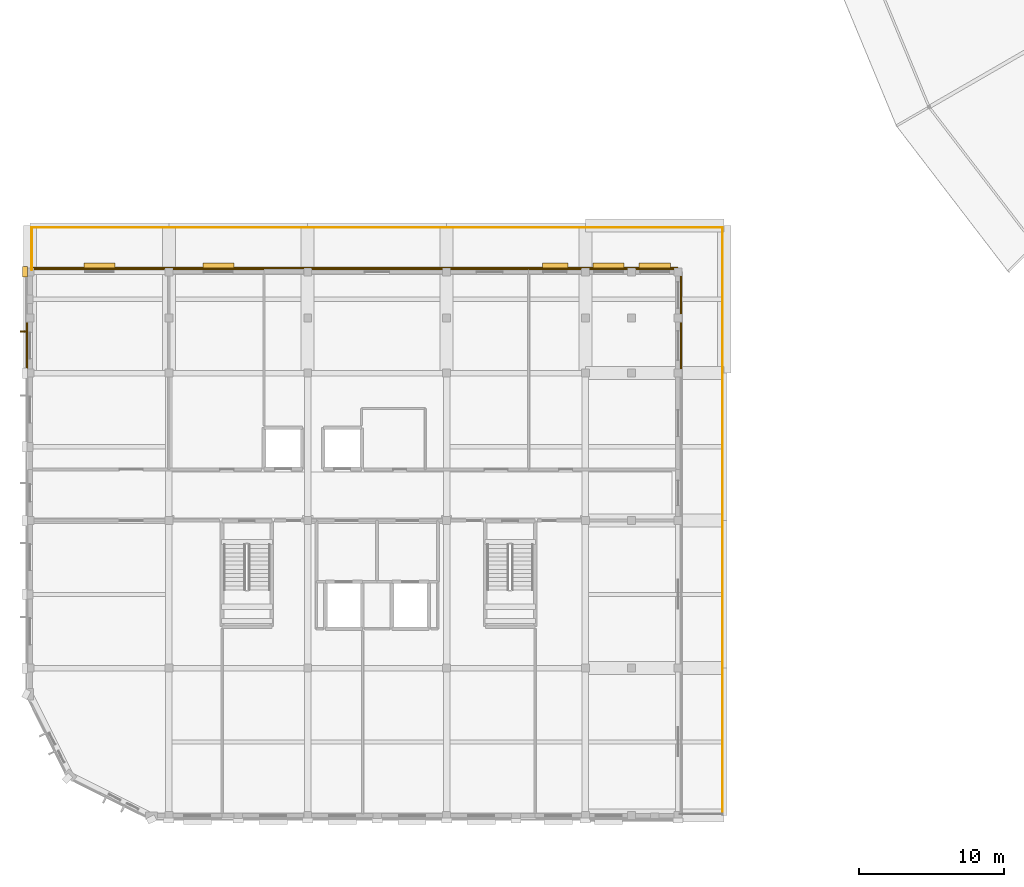
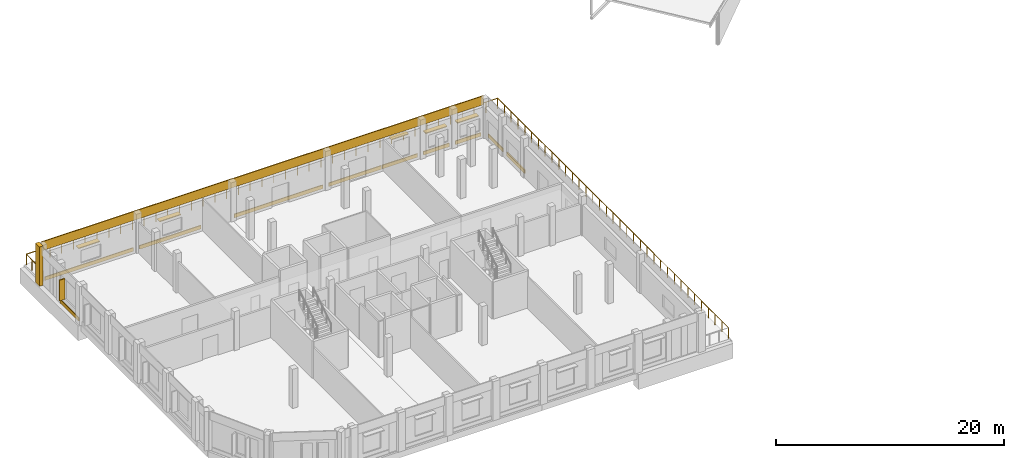
# One storey, part 69 of 70: 12 coverings, 6 shading devices, 3 railings.
"""IFC4 building model written with IfcOpenShell, lengths in metres."""

from ifc_helpers import new_model, si_unit, direction, frame, origin, origin_2d, place, context, subcontext, project, spatial, rectangle, circle, extrude, material, layer, layer_set, type_object, element, save


model = new_model("IFC4")

# Units and contexts
model_context = context("Model", 3, precision=1e-05, world=origin(), true_north=direction((0.0, 1.0)))
body_context = subcontext(model_context, "Body", "Model", "MODEL_VIEW")
ifc_project = project(units=[si_unit("LENGTHUNIT", "METRE"), si_unit("AREAUNIT", "SQUARE_METRE"), si_unit("VOLUMEUNIT", "CUBIC_METRE"), si_unit("PLANEANGLEUNIT", "RADIAN"), si_unit("MASSUNIT", "GRAM", prefix="KILO")], contexts=[model_context])

# Site, building, storey
site_placement = place(None, origin())
site = spatial("IfcSite", under=ifc_project, at=site_placement, CompositionType="ELEMENT")
building_placement = place(site_placement, origin())
building = spatial("IfcBuilding", under=site, at=building_placement, Name="Vondelvale Polytechnic", CompositionType="ELEMENT")
storey_placement = place(building_placement, frame((0.0, 0.0, 22.199951171875)))
storey = spatial("IfcBuildingStorey", under=building, at=storey_placement, Name="L05", CompositionType="ELEMENT", Elevation=22.199951171875)

# Coverings
ifc_material_1 = material(Name="Amsterdam School iron-spot clinker clay brickwork", Category="masonry")
ifc_layer_1 = layer(ifc_material_1, 0.090087890625)
ifc_layer_set_1 = layer_set([ifc_layer_1], Name="COV-BRICK-RELIEF")
covering_type = type_object("IfcCoveringType", Name="COV-BRICK-RELIEF", PredefinedType="CLADDING", material=ifc_layer_set_1)
covering_1_placement = place(storey_placement, frame((22.39990234375, 37.864990234375, 3.239990234375), z_axis=(0.0, 0.0, 1.0), x_axis=(1.0, 0.0, 0.0)))
element("IfcCovering", 1, at=covering_1_placement, inside=storey, type_object=covering_type, Name="L05 exterior masonry spandrel band", PredefinedType="CLADDING", context=body_context, shape_type="SweptSolid", body=[
    extrude(rectangle(XDim=44.800048828125, YDim=0.090087890625, at=origin_2d()), origin(), (0.0, 0.0, 1.0), 0.9599609375),
])
covering_2_placement = place(storey_placement, frame((-0.200927734375, 32.5, 0.0), z_axis=(0.0, 0.0, 1.0), x_axis=(0.0, 1.0, 0.0)))
element("IfcCovering", 2, at=covering_2_placement, inside=storey, type_object=covering_type, Name="L05 exterior corbelled masonry relief band", PredefinedType="CLADDING", context=body_context, shape_type="SweptSolid", body=[
    extrude(rectangle(XDim=3.18798828125, YDim=0.090087890625, at=origin_2d()), origin(), (0.0, 0.0, 1.0), 0.3798828125),
])
covering_3_placement = place(storey_placement, frame((45.0009765625, 36.0, 0.0), z_axis=(0.0, 0.0, 1.0), x_axis=(0.0, -1.0, 0.0)))
element("IfcCovering", 3, at=covering_3_placement, inside=storey, type_object=covering_type, Name="L05 exterior corbelled masonry relief band", PredefinedType="CLADDING", context=body_context, shape_type="SweptSolid", body=[
    extrude(rectangle(XDim=2.587890625, YDim=0.090087890625, at=origin_2d()), origin(), (0.0, 0.0, 1.0), 0.3798828125),
])
covering_4_placement = place(storey_placement, frame((45.0009765625, 32.5, 0.0), z_axis=(0.0, 0.0, 1.0), x_axis=(0.0, -1.0, 0.0)))
element("IfcCovering", 4, at=covering_4_placement, inside=storey, type_object=covering_type, Name="L05 exterior corbelled masonry relief band", PredefinedType="CLADDING", context=body_context, shape_type="SweptSolid", body=[
    extrude(rectangle(XDim=3.18798828125, YDim=0.090087890625, at=origin_2d()), origin(), (0.0, 0.0, 1.0), 0.3798828125),
])
covering_5_placement = place(storey_placement, frame((4.800048828125, 37.801025390625, 0.0), z_axis=(0.0, 0.0, 1.0), x_axis=(1.0, 0.0, 0.0)))
element("IfcCovering", 5, at=covering_5_placement, inside=storey, type_object=covering_type, Name="L05 exterior corbelled masonry relief band", PredefinedType="CLADDING", context=body_context, shape_type="SweptSolid", body=[
    extrude(rectangle(XDim=8.988037109375, YDim=0.090087890625, at=origin_2d()), origin(), (0.0, 0.0, 1.0), 0.3798828125),
])
covering_6_placement = place(storey_placement, frame((13.025390625, 37.801025390625, 0.0), z_axis=(0.0, 0.0, 1.0), x_axis=(1.0, 0.0, 0.0)))
element("IfcCovering", 6, at=covering_6_placement, inside=storey, type_object=covering_type, Name="L05 exterior corbelled masonry relief band", PredefinedType="CLADDING", context=body_context, shape_type="SweptSolid", body=[
    extrude(rectangle(XDim=6.239013671875, YDim=0.090087890625, at=origin_2d()), origin(), (0.0, 0.0, 1.0), 0.3798828125),
])
covering_7_placement = place(storey_placement, frame((24.0, 37.801025390625, 0.0), z_axis=(0.0, 0.0, 1.0), x_axis=(1.0, 0.0, 0.0)))
element("IfcCovering", 7, at=covering_7_placement, inside=storey, type_object=covering_type, Name="L05 exterior corbelled masonry relief band", PredefinedType="CLADDING", context=body_context, shape_type="SweptSolid", body=[
    extrude(rectangle(XDim=8.988037109375, YDim=0.090087890625, at=origin_2d()), origin(), (0.0, 0.0, 1.0), 0.3798828125),
])
covering_8_placement = place(storey_placement, frame((31.775390625, 37.801025390625, 0.0), z_axis=(0.0, 0.0, 1.0), x_axis=(1.0, 0.0, 0.0)))
element("IfcCovering", 8, at=covering_8_placement, inside=storey, type_object=covering_type, Name="L05 exterior corbelled masonry relief band", PredefinedType="CLADDING", context=body_context, shape_type="SweptSolid", body=[
    extrude(rectangle(XDim=5.339111328125, YDim=0.090087890625, at=origin_2d()), origin(), (0.0, 0.0, 1.0), 0.3798828125),
])
covering_9_placement = place(storey_placement, frame((36.299560546875, 37.801025390625, 0.0), z_axis=(0.0, 0.0, 1.0), x_axis=(1.0, 0.0, 0.0)))
element("IfcCovering", 9, at=covering_9_placement, inside=storey, type_object=covering_type, Name="L05 exterior corbelled masonry relief band", PredefinedType="CLADDING", context=body_context, shape_type="SweptSolid", body=[
    extrude(rectangle(XDim=3.589111328125, YDim=0.090087890625, at=origin_2d()), origin(), (0.0, 0.0, 1.0), 0.3798828125),
])
for number, where, z_axis, x_axis, name in (
    (10, (40.0, 37.801025390625, 0.0), (0.0, 0.0, 1.0), (1.0, 0.0, 0.0), "L05 exterior corbelled masonry relief band"),
    (11, (43.199951171875, 37.801025390625, 0.0), (0.0, 0.0, 1.0), (1.0, 0.0, 0.0), "L05 exterior corbelled masonry relief band"),
):
    element("IfcCovering", number, at=place(storey_placement, frame(where, z_axis=z_axis, x_axis=x_axis)), inside=storey, type_object=covering_type, Name=name, PredefinedType="CLADDING", context=body_context, shape_type="SweptSolid", body=[
        extrude(rectangle(XDim=2.587890625, YDim=0.090087890625, at=origin_2d()), origin(), (0.0, 0.0, 1.0), 0.3798828125),
    ])
covering_10_placement = place(storey_placement, frame((-0.340087890625, 37.60009765625, 0.0), z_axis=(0.0, 0.0, 1.0), x_axis=(1.0, 0.0, 0.0)))
element("IfcCovering", 12, at=covering_10_placement, inside=storey, type_object=covering_type, Name="L05 Classical street pilaster", PredefinedType="CLADDING", context=body_context, shape_type="SweptSolid", body=[
    extrude(rectangle(XDim=0.360107421875, YDim=0.719970703125, at=origin_2d()), origin(), (0.0, 0.0, 1.0), 4.199951171875),
])

# Railings
ifc_material_2 = material(Name="Brushed architectural stainless and zinc-coated metal")
ifc_layer_2 = layer(ifc_material_2, 0.070068359375)
ifc_layer_set_2 = layer_set([ifc_layer_2], Name="RL-TERRACE-1150")
railing_type = type_object("IfcRailingType", Name="RL-TERRACE-1150", PredefinedType="BALUSTRADE", material=ifc_layer_set_2)
railing_1_placement = place(storey_placement, frame((47.8798828125, 0.1201171875, 0.0)))
element("IfcRailing", 13, at=railing_1_placement, inside=storey, type_object=railing_type, Name="L05 courtyard terrace guardrail", PredefinedType="BALUSTRADE", context=body_context, shape_type="SweptSolid", body=[
    extrude(circle(Radius=0.02392578125, at=origin_2d()), frame((0.0, 0.0, 1.1259765625), z_axis=(0.0, 1.0, 0.0), x_axis=(-1.0, 0.0, 0.0)), (0.0, 0.0, 1.0), 40.559814453125),
    extrude(circle(Radius=0.02099609375, at=origin_2d()), origin(), (0.0, 0.0, 1.0), 1.101806640625),
    extrude(circle(Radius=0.02099609375, at=origin_2d()), frame((0.0, 1.19287109375, 0.0)), (0.0, 0.0, 1.0), 1.101806640625),
    extrude(circle(Radius=0.02099609375, at=origin_2d()), frame((0.0, 2.385986328125, 0.0)), (0.0, 0.0, 1.0), 1.101806640625),
    extrude(circle(Radius=0.02099609375, at=origin_2d()), frame((0.0, 3.578857421875, 0.0)), (0.0, 0.0, 1.0), 1.101806640625),
    extrude(circle(Radius=0.02099609375, at=origin_2d()), frame((0.0, 4.771728515625, 0.0)), (0.0, 0.0, 1.0), 1.101806640625),
    extrude(circle(Radius=0.02099609375, at=origin_2d()), frame((0.0, 5.964599609375, 0.0)), (0.0, 0.0, 1.0), 1.101806640625),
    extrude(circle(Radius=0.02099609375, at=origin_2d()), frame((0.0, 7.15771484375, 0.0)), (0.0, 0.0, 1.0), 1.101806640625),
    extrude(circle(Radius=0.02099609375, at=origin_2d()), frame((0.0, 8.3505859375, 0.0)), (0.0, 0.0, 1.0), 1.101806640625),
    extrude(circle(Radius=0.02099609375, at=origin_2d()), frame((0.0, 9.54345703125, 0.0)), (0.0, 0.0, 1.0), 1.101806640625),
    extrude(circle(Radius=0.02099609375, at=origin_2d()), frame((0.0, 10.736328125, 0.0)), (0.0, 0.0, 1.0), 1.101806640625),
    extrude(circle(Radius=0.02099609375, at=origin_2d()), frame((0.0, 11.929443359375, 0.0)), (0.0, 0.0, 1.0), 1.101806640625),
    extrude(circle(Radius=0.02099609375, at=origin_2d()), frame((0.0, 13.122314453125, 0.0)), (0.0, 0.0, 1.0), 1.101806640625),
    extrude(circle(Radius=0.02099609375, at=origin_2d()), frame((0.0, 14.315185546875, 0.0)), (0.0, 0.0, 1.0), 1.101806640625),
    extrude(circle(Radius=0.02099609375, at=origin_2d()), frame((0.0, 15.508056640625, 0.0)), (0.0, 0.0, 1.0), 1.101806640625),
    extrude(circle(Radius=0.02099609375, at=origin_2d()), frame((0.0, 16.701171875, 0.0)), (0.0, 0.0, 1.0), 1.101806640625),
    extrude(circle(Radius=0.02099609375, at=origin_2d()), frame((0.0, 17.89404296875, 0.0)), (0.0, 0.0, 1.0), 1.101806640625),
    extrude(circle(Radius=0.02099609375, at=origin_2d()), frame((0.0, 19.0869140625, 0.0)), (0.0, 0.0, 1.0), 1.101806640625),
    extrude(circle(Radius=0.02099609375, at=origin_2d()), frame((0.0, 20.27978515625, 0.0)), (0.0, 0.0, 1.0), 1.101806640625),
    extrude(circle(Radius=0.02099609375, at=origin_2d()), frame((0.0, 21.472900390625, 0.0)), (0.0, 0.0, 1.0), 1.101806640625),
    extrude(circle(Radius=0.02099609375, at=origin_2d()), frame((0.0, 22.665771484375, 0.0)), (0.0, 0.0, 1.0), 1.101806640625),
    extrude(circle(Radius=0.02099609375, at=origin_2d()), frame((0.0, 23.858642578125, 0.0)), (0.0, 0.0, 1.0), 1.101806640625),
    extrude(circle(Radius=0.02099609375, at=origin_2d()), frame((0.0, 25.0517578125, 0.0)), (0.0, 0.0, 1.0), 1.101806640625),
    extrude(circle(Radius=0.02099609375, at=origin_2d()), frame((0.0, 26.24462890625, 0.0)), (0.0, 0.0, 1.0), 1.101806640625),
    extrude(circle(Radius=0.02099609375, at=origin_2d()), frame((0.0, 27.4375, 0.0)), (0.0, 0.0, 1.0), 1.101806640625),
    extrude(circle(Radius=0.02099609375, at=origin_2d()), frame((0.0, 28.63037109375, 0.0)), (0.0, 0.0, 1.0), 1.101806640625),
    extrude(circle(Radius=0.02099609375, at=origin_2d()), frame((0.0, 29.823486328125, 0.0)), (0.0, 0.0, 1.0), 1.101806640625),
    extrude(circle(Radius=0.02099609375, at=origin_2d()), frame((0.0, 31.016357421875, 0.0)), (0.0, 0.0, 1.0), 1.101806640625),
    extrude(circle(Radius=0.02099609375, at=origin_2d()), frame((0.0, 32.209228515625, 0.0)), (0.0, 0.0, 1.0), 1.101806640625),
    extrude(circle(Radius=0.02099609375, at=origin_2d()), frame((0.0, 33.402099609375, 0.0)), (0.0, 0.0, 1.0), 1.101806640625),
    extrude(circle(Radius=0.02099609375, at=origin_2d()), frame((0.0, 34.59521484375, 0.0)), (0.0, 0.0, 1.0), 1.101806640625),
    extrude(circle(Radius=0.02099609375, at=origin_2d()), frame((0.0, 35.7880859375, 0.0)), (0.0, 0.0, 1.0), 1.101806640625),
    extrude(circle(Radius=0.02099609375, at=origin_2d()), frame((0.0, 36.98095703125, 0.0)), (0.0, 0.0, 1.0), 1.101806640625),
    extrude(circle(Radius=0.02099609375, at=origin_2d()), frame((0.0, 38.173828125, 0.0)), (0.0, 0.0, 1.0), 1.101806640625),
    extrude(circle(Radius=0.02099609375, at=origin_2d()), frame((0.0, 39.366943359375, 0.0)), (0.0, 0.0, 1.0), 1.101806640625),
    extrude(circle(Radius=0.02099609375, at=origin_2d()), frame((0.0, 40.559814453125, 0.0)), (0.0, 0.0, 1.0), 1.101806640625),
])
railing_2_placement = place(storey_placement, frame((47.8798828125, 40.679931640625, 0.0)))
element("IfcRailing", 14, at=railing_2_placement, inside=storey, type_object=railing_type, Name="L05 courtyard terrace guardrail", PredefinedType="BALUSTRADE", context=body_context, shape_type="SweptSolid", body=[
    extrude(circle(Radius=0.02392578125, at=origin_2d()), frame((0.0, 0.0, 1.1259765625), z_axis=(-1.0, 0.0, 0.0), x_axis=(0.0, -1.0, 0.0)), (0.0, 0.0, 1.0), 47.759765625),
    extrude(circle(Radius=0.02099609375, at=origin_2d()), origin(), (0.0, 0.0, 1.0), 1.101806640625),
    extrude(circle(Radius=0.02099609375, at=origin_2d()), frame((-1.194091796875, 0.0, 0.0)), (0.0, 0.0, 1.0), 1.101806640625),
    extrude(circle(Radius=0.02099609375, at=origin_2d()), frame((-2.387939453125, 0.0, 0.0)), (0.0, 0.0, 1.0), 1.101806640625),
    extrude(circle(Radius=0.02099609375, at=origin_2d()), frame((-3.58203125, 0.0, 0.0)), (0.0, 0.0, 1.0), 1.101806640625),
    extrude(circle(Radius=0.02099609375, at=origin_2d()), frame((-4.77587890625, 0.0, 0.0)), (0.0, 0.0, 1.0), 1.101806640625),
    extrude(circle(Radius=0.02099609375, at=origin_2d()), frame((-5.969970703125, 0.0, 0.0)), (0.0, 0.0, 1.0), 1.101806640625),
    extrude(circle(Radius=0.02099609375, at=origin_2d()), frame((-7.1640625, 0.0, 0.0)), (0.0, 0.0, 1.0), 1.101806640625),
    extrude(circle(Radius=0.02099609375, at=origin_2d()), frame((-8.35791015625, 0.0, 0.0)), (0.0, 0.0, 1.0), 1.101806640625),
    extrude(circle(Radius=0.02099609375, at=origin_2d()), frame((-9.552001953125, 0.0, 0.0)), (0.0, 0.0, 1.0), 1.101806640625),
    extrude(circle(Radius=0.02099609375, at=origin_2d()), frame((-10.745849609375, 0.0, 0.0)), (0.0, 0.0, 1.0), 1.101806640625),
    extrude(circle(Radius=0.02099609375, at=origin_2d()), frame((-11.93994140625, 0.0, 0.0)), (0.0, 0.0, 1.0), 1.101806640625),
    extrude(circle(Radius=0.02099609375, at=origin_2d()), frame((-13.134033203125, 0.0, 0.0)), (0.0, 0.0, 1.0), 1.101806640625),
    extrude(circle(Radius=0.02099609375, at=origin_2d()), frame((-14.327880859375, 0.0, 0.0)), (0.0, 0.0, 1.0), 1.101806640625),
    extrude(circle(Radius=0.02099609375, at=origin_2d()), frame((-15.52197265625, 0.0, 0.0)), (0.0, 0.0, 1.0), 1.101806640625),
    extrude(circle(Radius=0.02099609375, at=origin_2d()), frame((-16.7158203125, 0.0, 0.0)), (0.0, 0.0, 1.0), 1.101806640625),
    extrude(circle(Radius=0.02099609375, at=origin_2d()), frame((-17.909912109375, 0.0, 0.0)), (0.0, 0.0, 1.0), 1.101806640625),
    extrude(circle(Radius=0.02099609375, at=origin_2d()), frame((-19.10400390625, 0.0, 0.0)), (0.0, 0.0, 1.0), 1.101806640625),
    extrude(circle(Radius=0.02099609375, at=origin_2d()), frame((-20.2978515625, 0.0, 0.0)), (0.0, 0.0, 1.0), 1.101806640625),
    extrude(circle(Radius=0.02099609375, at=origin_2d()), frame((-21.491943359375, 0.0, 0.0)), (0.0, 0.0, 1.0), 1.101806640625),
    extrude(circle(Radius=0.02099609375, at=origin_2d()), frame((-22.685791015625, 0.0, 0.0)), (0.0, 0.0, 1.0), 1.101806640625),
    extrude(circle(Radius=0.02099609375, at=origin_2d()), frame((-23.8798828125, 0.0, 0.0)), (0.0, 0.0, 1.0), 1.101806640625),
    extrude(circle(Radius=0.02099609375, at=origin_2d()), frame((-25.073974609375, 0.0, 0.0)), (0.0, 0.0, 1.0), 1.101806640625),
    extrude(circle(Radius=0.02099609375, at=origin_2d()), frame((-26.267822265625, 0.0, 0.0)), (0.0, 0.0, 1.0), 1.101806640625),
    extrude(circle(Radius=0.02099609375, at=origin_2d()), frame((-27.4619140625, 0.0, 0.0)), (0.0, 0.0, 1.0), 1.101806640625),
    extrude(circle(Radius=0.02099609375, at=origin_2d()), frame((-28.65576171875, 0.0, 0.0)), (0.0, 0.0, 1.0), 1.101806640625),
    extrude(circle(Radius=0.02099609375, at=origin_2d()), frame((-29.849853515625, 0.0, 0.0)), (0.0, 0.0, 1.0), 1.101806640625),
    extrude(circle(Radius=0.02099609375, at=origin_2d()), frame((-31.0439453125, 0.0, 0.0)), (0.0, 0.0, 1.0), 1.101806640625),
    extrude(circle(Radius=0.02099609375, at=origin_2d()), frame((-32.23779296875, 0.0, 0.0)), (0.0, 0.0, 1.0), 1.101806640625),
    extrude(circle(Radius=0.02099609375, at=origin_2d()), frame((-33.431884765625, 0.0, 0.0)), (0.0, 0.0, 1.0), 1.101806640625),
    extrude(circle(Radius=0.02099609375, at=origin_2d()), frame((-34.625732421875, 0.0, 0.0)), (0.0, 0.0, 1.0), 1.101806640625),
    extrude(circle(Radius=0.02099609375, at=origin_2d()), frame((-35.81982421875, 0.0, 0.0)), (0.0, 0.0, 1.0), 1.101806640625),
    extrude(circle(Radius=0.02099609375, at=origin_2d()), frame((-37.013916015625, 0.0, 0.0)), (0.0, 0.0, 1.0), 1.101806640625),
    extrude(circle(Radius=0.02099609375, at=origin_2d()), frame((-38.207763671875, 0.0, 0.0)), (0.0, 0.0, 1.0), 1.101806640625),
    extrude(circle(Radius=0.02099609375, at=origin_2d()), frame((-39.40185546875, 0.0, 0.0)), (0.0, 0.0, 1.0), 1.101806640625),
    extrude(circle(Radius=0.02099609375, at=origin_2d()), frame((-40.595703125, 0.0, 0.0)), (0.0, 0.0, 1.0), 1.101806640625),
    extrude(circle(Radius=0.02099609375, at=origin_2d()), frame((-41.789794921875, 0.0, 0.0)), (0.0, 0.0, 1.0), 1.101806640625),
    extrude(circle(Radius=0.02099609375, at=origin_2d()), frame((-42.98388671875, 0.0, 0.0)), (0.0, 0.0, 1.0), 1.101806640625),
    extrude(circle(Radius=0.02099609375, at=origin_2d()), frame((-44.177734375, 0.0, 0.0)), (0.0, 0.0, 1.0), 1.101806640625),
    extrude(circle(Radius=0.02099609375, at=origin_2d()), frame((-45.371826171875, 0.0, 0.0)), (0.0, 0.0, 1.0), 1.101806640625),
    extrude(circle(Radius=0.02099609375, at=origin_2d()), frame((-46.565673828125, 0.0, 0.0)), (0.0, 0.0, 1.0), 1.101806640625),
    extrude(circle(Radius=0.02099609375, at=origin_2d()), frame((-47.759765625, 0.0, 0.0)), (0.0, 0.0, 1.0), 1.101806640625),
])
railing_3_placement = place(storey_placement, frame((0.1201171875, 40.679931640625, 0.0)))
element("IfcRailing", 15, at=railing_3_placement, inside=storey, type_object=railing_type, Name="L05 courtyard terrace guardrail", PredefinedType="BALUSTRADE", context=body_context, shape_type="SweptSolid", body=[
    extrude(circle(Radius=0.02392578125, at=origin_2d()), frame((0.0, 0.0, 1.1259765625), z_axis=(0.0, -1.0, 0.0), x_axis=(1.0, 0.0, 0.0)), (0.0, 0.0, 1.0), 2.929931640625),
    extrude(circle(Radius=0.02099609375, at=origin_2d()), origin(), (0.0, 0.0, 1.0), 1.101806640625),
    extrude(circle(Radius=0.02099609375, at=origin_2d()), frame((0.0, -0.9765625, 0.0)), (0.0, 0.0, 1.0), 1.101806640625),
    extrude(circle(Radius=0.02099609375, at=origin_2d()), frame((0.0, -1.953369140625, 0.0)), (0.0, 0.0, 1.0), 1.101806640625),
    extrude(circle(Radius=0.02099609375, at=origin_2d()), frame((0.0, -2.929931640625, 0.0)), (0.0, 0.0, 1.0), 1.101806640625),
])

# Shading devices
ifc_material_3 = material(Name="Anodised extruded aluminium 6063-T6", Category="aluminium")
shading_device_type_1 = type_object("IfcShadingDeviceType", Name="SHD-BRONZE-LOUVRE", PredefinedType="SHUTTER", material=ifc_material_3)
for number, where, z_axis, x_axis, name in (
    (16, (4.800048828125, 37.985107421875, 2.20751953125), (0.0, 0.0, 1.0), (1.0, 0.0, 0.0), "L05 horizontal bronze sun-louvre overhang"),
    (17, (13.025390625, 37.985107421875, 2.20751953125), (0.0, 0.0, 1.0), (1.0, 0.0, 0.0), "L05 horizontal bronze sun-louvre overhang"),
):
    element("IfcShadingDevice", number, at=place(storey_placement, frame(where, z_axis=z_axis, x_axis=x_axis)), inside=storey, type_object=shading_device_type_1, Name=name, PredefinedType="SHUTTER", context=body_context, shape_type="SweptSolid", body=[
        extrude(rectangle(XDim=2.159912109375, YDim=0.47998046875, at=origin_2d()), origin(), (0.0, 0.0, 1.0), 0.0849609375),
    ])
shading_device_1_placement = place(storey_placement, frame((36.299560546875, 37.985107421875, 2.757568359375), z_axis=(0.0, 0.0, 1.0), x_axis=(1.0, 0.0, 0.0)))
element("IfcShadingDevice", 18, at=shading_device_1_placement, inside=storey, type_object=shading_device_type_1, Name="L05 horizontal bronze sun-louvre overhang", PredefinedType="SHUTTER", context=body_context, shape_type="SweptSolid", body=[
    extrude(rectangle(XDim=1.760009765625, YDim=0.47998046875, at=origin_2d()), origin(), (0.0, 0.0, 1.0), 0.0849609375),
])
for number, where, z_axis, x_axis, name in (
    (19, (40.0, 37.985107421875, 2.20751953125), (0.0, 0.0, 1.0), (1.0, 0.0, 0.0), "L05 horizontal bronze sun-louvre overhang"),
    (20, (43.199951171875, 37.985107421875, 2.20751953125), (0.0, 0.0, 1.0), (1.0, 0.0, 0.0), "L05 horizontal bronze sun-louvre overhang"),
):
    element("IfcShadingDevice", number, at=place(storey_placement, frame(where, z_axis=z_axis, x_axis=x_axis)), inside=storey, type_object=shading_device_type_1, Name=name, PredefinedType="SHUTTER", context=body_context, shape_type="SweptSolid", body=[
        extrude(rectangle(XDim=2.159912109375, YDim=0.47998046875, at=origin_2d()), origin(), (0.0, 0.0, 1.0), 0.0849609375),
    ])
ifc_material_4 = material(Name="Kiln-fired architectural terracotta", Category="masonry")
shading_device_type_2 = type_object("IfcShadingDeviceType", Name="SHD-TERRA-FIN-550", PredefinedType="JALOUSIE", material=ifc_material_4)
shading_device_2_placement = place(storey_placement, frame((-0.419921875, 33.489990234375, 0.7900390625), z_axis=(0.0, 0.0, 1.0), x_axis=(0.0, 1.0, 0.0)))
element("IfcShadingDevice", 21, at=shading_device_2_placement, inside=storey, type_object=shading_device_type_2, Name="L05 vertical terracotta solar fin", PredefinedType="JALOUSIE", context=body_context, shape_type="SweptSolid", body=[
    extrude(rectangle(XDim=0.110107421875, YDim=0.550048828125, at=origin_2d()), origin(), (0.0, 0.0, 1.0), 2.219970703125),
])

save(model, "model.ifc")
